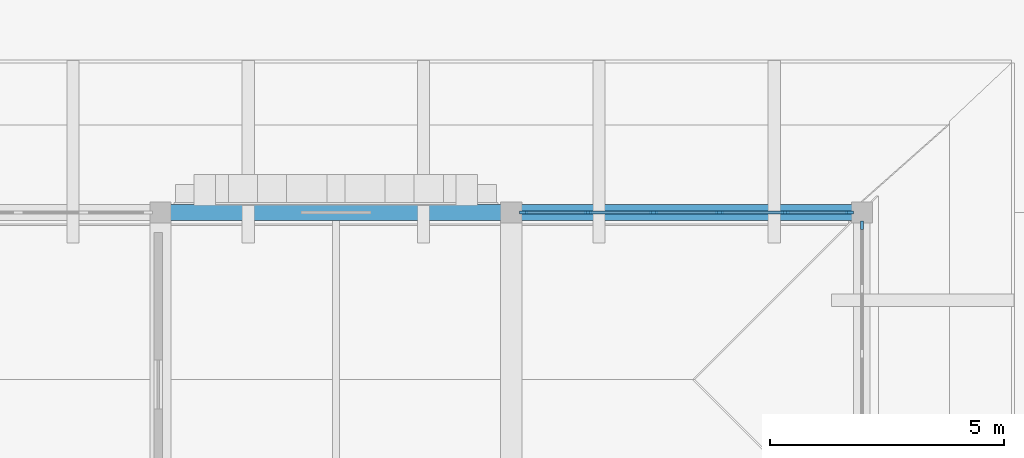
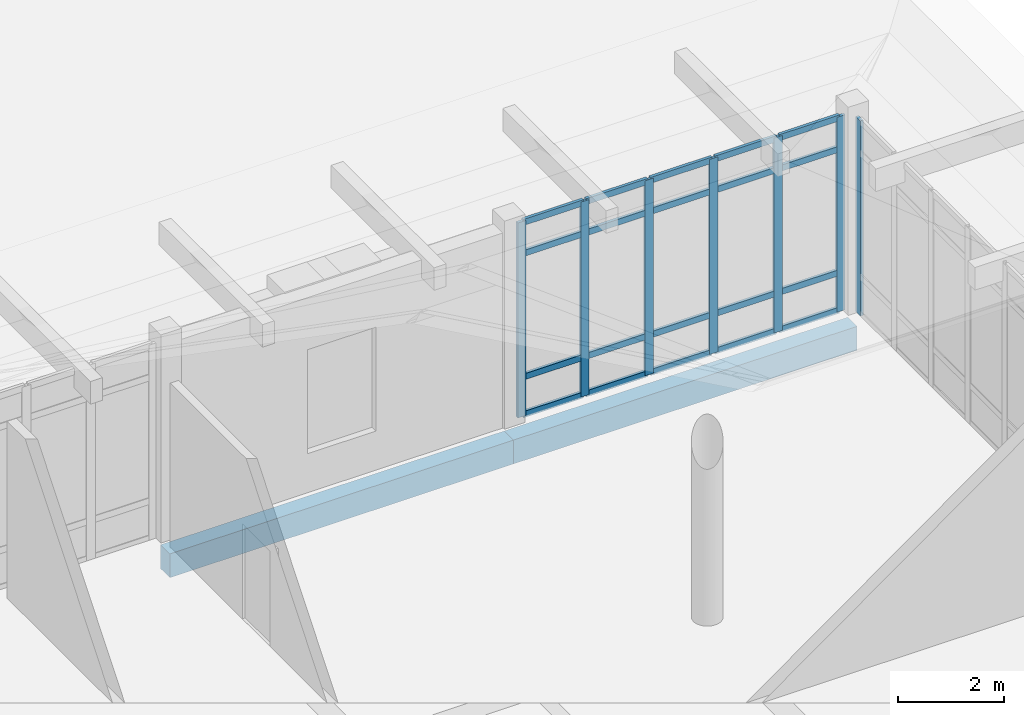
# One storey, part 69 of 125: 27 members, 2 beams, 2 elements without a shape of their own.
"""IFC4 building model written with IfcOpenShell, lengths in metres."""

from ifc_helpers import new_model, si_unit, direction, frame, origin, origin_2d, place, context, subcontext, project, spatial, rectangle, extrude, material, layer, layer_set, material_profile, profile_set, type_object, element, aggregate, save


model = new_model("IFC4")

# Units and contexts
model_context = context("Model", 3, precision=1e-05, world=origin(), true_north=direction((0.0, 1.0)))
body_context = subcontext(model_context, "Body", "Model", "MODEL_VIEW")
ifc_project = project(units=[si_unit("LENGTHUNIT", "METRE"), si_unit("AREAUNIT", "SQUARE_METRE"), si_unit("VOLUMEUNIT", "CUBIC_METRE"), si_unit("PLANEANGLEUNIT", "RADIAN"), si_unit("MASSUNIT", "GRAM", prefix="KILO")], contexts=[model_context])

# Site, building, storey
site_placement = place(None, origin())
site = spatial("IfcSite", under=ifc_project, at=site_placement, CompositionType="ELEMENT")
building_placement = place(site_placement, origin())
building = spatial("IfcBuilding", under=site, at=building_placement, Name="Dalvernix Boulevard General Hospital", CompositionType="ELEMENT")
storey_placement = place(building_placement, origin())
storey = spatial("IfcBuildingStorey", under=building, at=storey_placement, Name="L00", CompositionType="ELEMENT", Elevation=0.0)

# Beams
ifc_material_1 = material(Name="Concrete C35/45", Category="concrete")
ifc_material_profile_1 = material_profile(ifc_material_1, rectangle(XDim=0.35009765625, YDim=0.550048828125, at=origin_2d()), Name="RCB 350x550")
ifc_profile_set_1 = profile_set([ifc_material_profile_1], Name="Concrete C35/45")
beam_type = type_object("IfcBeamType", Name="BM-SB-01-E", PredefinedType="SPANDREL", material=ifc_profile_set_1)
for number, where, z_axis, x_axis, name in (
    (1, (157.5, 93.0, -0.635009765625), (1.0, 0.0, 0.0), (0.0, 1.0, 0.0), "L00 E-W girder N:22-23"),
    (2, (165.0, 93.0, -0.635009765625), (1.0, 0.0, 0.0), (0.0, 1.0, 0.0), "L00 E-W girder N:23-24"),
):
    element("IfcBeam", number, at=place(storey_placement, frame(where, z_axis=z_axis, x_axis=x_axis)), inside=storey, type_object=beam_type, Name=name, PredefinedType="SPANDREL", context=body_context, shape_type="SweptSolid", body=[
        extrude(rectangle(XDim=0.35009765625, YDim=0.550048828125, at=origin_2d()), origin(), (0.0, 0.0, 1.0), 7.5),
    ])

# Curtain wall, members
ifc_material_2 = material(Name="Thermally broken aluminium and solar-control glass curtain wall", Category="aluminium")
ifc_layer = layer(ifc_material_2, 0.179931640625)
ifc_layer_set = layer_set([ifc_layer], Name="Thermally broken aluminium and solar-control glass curtain wall (CW-CW-B-70x45)")
curtain_wall_type = type_object("IfcCurtainWallType", Name="CW-CW-B-70x45", PredefinedType="USERDEFINED", material=ifc_layer_set)
curtain_wall_1_placement = place(storey_placement, origin())
curtain_wall_1 = element("IfcCurtainWall", 3, at=curtain_wall_1_placement, inside=storey, type_object=curtain_wall_type, Name="L00 curtain wall CW-B-70x45 22-12", ObjectType="GLAZED FACADE", PredefinedType="USERDEFINED")
ifc_material_3 = material(Name="Aluminium EN AW-6060", Category="aluminium")
ifc_material_profile_2 = material_profile(ifc_material_3, rectangle(XDim=0.06494140625, YDim=0.179931640625, at=origin_2d()), Name="ALU MULL 65x180")
ifc_profile_set_2 = profile_set([ifc_material_profile_2], Name="Aluminium EN AW-6060")
member_type_1 = type_object("IfcMemberType", Name="MEM-CW-M2", PredefinedType="MULLION", material=ifc_profile_set_2)
member_1_placement = place(storey_placement, frame((165.267578125, 93.0, 0.0), z_axis=(0.0, 0.0, 1.0), x_axis=(0.0, 1.0, 0.0)))
member_1 = element("IfcMember", 4, at=member_1_placement, type_object=member_type_1, Name="CW-B-70x45 mullion 1", PredefinedType="MULLION", context=body_context, shape_type="SweptSolid", body=[
    extrude(rectangle(XDim=0.06494140625, YDim=0.179931640625, at=origin_2d()), origin(), (0.0, 0.0, 1.0), 4.5),
])
member_2_placement = place(storey_placement, frame((166.64111328125, 93.0, 0.0), z_axis=(0.0, 0.0, 1.0), x_axis=(0.0, 1.0, 0.0)))
member_2 = element("IfcMember", 5, at=member_2_placement, type_object=member_type_1, Name="CW-B-70x45 mullion 2", PredefinedType="MULLION", context=body_context, shape_type="SweptSolid", body=[
    extrude(rectangle(XDim=0.06494140625, YDim=0.179931640625, at=origin_2d()), origin(), (0.0, 0.0, 1.0), 4.5),
])
member_3_placement = place(storey_placement, frame((168.047119140625, 93.0, 0.0), z_axis=(0.0, 0.0, 1.0), x_axis=(0.0, 1.0, 0.0)))
member_3 = element("IfcMember", 6, at=member_3_placement, type_object=member_type_1, Name="CW-B-70x45 mullion 3", PredefinedType="MULLION", context=body_context, shape_type="SweptSolid", body=[
    extrude(rectangle(XDim=0.06494140625, YDim=0.179931640625, at=origin_2d()), origin(), (0.0, 0.0, 1.0), 4.5),
])
member_4_placement = place(storey_placement, frame((169.452880859375, 93.0, 0.0), z_axis=(0.0, 0.0, 1.0), x_axis=(0.0, 1.0, 0.0)))
member_4 = element("IfcMember", 7, at=member_4_placement, type_object=member_type_1, Name="CW-B-70x45 mullion 4", PredefinedType="MULLION", context=body_context, shape_type="SweptSolid", body=[
    extrude(rectangle(XDim=0.06494140625, YDim=0.179931640625, at=origin_2d()), origin(), (0.0, 0.0, 1.0), 4.5),
])
member_5_placement = place(storey_placement, frame((170.85888671875, 93.0, 0.0), z_axis=(0.0, 0.0, 1.0), x_axis=(0.0, 1.0, 0.0)))
member_5 = element("IfcMember", 8, at=member_5_placement, type_object=member_type_1, Name="CW-B-70x45 mullion 5", PredefinedType="MULLION", context=body_context, shape_type="SweptSolid", body=[
    extrude(rectangle(XDim=0.06494140625, YDim=0.179931640625, at=origin_2d()), origin(), (0.0, 0.0, 1.0), 4.5),
])
member_6_placement = place(storey_placement, frame((172.232421875, 93.0, 0.0), z_axis=(0.0, 0.0, 1.0), x_axis=(0.0, 1.0, 0.0)))
member_6 = element("IfcMember", 9, at=member_6_placement, type_object=member_type_1, Name="CW-B-70x45 mullion 6", PredefinedType="MULLION", context=body_context, shape_type="SweptSolid", body=[
    extrude(rectangle(XDim=0.06494140625, YDim=0.179931640625, at=origin_2d()), origin(), (0.0, 0.0, 1.0), 4.5),
])

# Curtain wall, member
curtain_wall_2_placement = place(storey_placement, origin())
curtain_wall_2 = element("IfcCurtainWall", 10, at=curtain_wall_2_placement, inside=storey, type_object=curtain_wall_type, Name="L00 curtain wall CW-B-70x45 23-11", ObjectType="GLAZED FACADE", PredefinedType="USERDEFINED")
member_7_placement = place(storey_placement, frame((172.5, 92.732421875, 0.0), z_axis=(0.0, 0.0, 1.0), x_axis=(1.0, 0.0, 0.0)))
member_7 = element("IfcMember", 11, at=member_7_placement, type_object=member_type_1, Name="CW-B-70x45 mullion 1", PredefinedType="MULLION", context=body_context, shape_type="SweptSolid", body=[
    extrude(rectangle(XDim=0.06494140625, YDim=0.179931640625, at=origin_2d()), origin(), (0.0, 0.0, 1.0), 4.5),
])
aggregate(curtain_wall_2, [member_7])

# Member
ifc_material_profile_3 = material_profile(ifc_material_3, rectangle(XDim=0.06494140625, YDim=0.139892578125, at=origin_2d()), Name="ALU TRAN 65x140")
ifc_profile_set_3 = profile_set([ifc_material_profile_3], Name="Aluminium EN AW-6060")
member_type_2 = type_object("IfcMemberType", Name="MEM-CW-T2", PredefinedType="USERDEFINED", material=ifc_profile_set_3)
member_8_placement = place(storey_placement, frame((165.300048828125, 93.0, 0.032470703125), z_axis=(1.0, 0.0, 0.0), x_axis=(0.0, 1.0, 0.0)))
member_8 = element("IfcMember", 12, at=member_8_placement, type_object=member_type_2, Name="CW-B-70x45 transom 1.1", ObjectType="TRANSOM", PredefinedType="USERDEFINED", context=body_context, shape_type="SweptSolid", body=[
    extrude(rectangle(XDim=0.06494140625, YDim=0.139892578125, at=origin_2d()), origin(), (0.0, 0.0, 1.0), 1.308349609375),
])

member_9_placement = place(storey_placement, frame((165.300048828125, 93.0, 0.89990234375), z_axis=(1.0, 0.0, 0.0), x_axis=(0.0, 1.0, 0.0)))
member_9 = element("IfcMember", 13, at=member_9_placement, type_object=member_type_2, Name="CW-B-70x45 transom 1.2", ObjectType="TRANSOM", PredefinedType="USERDEFINED", context=body_context, shape_type="SweptSolid", body=[
    extrude(rectangle(XDim=0.06494140625, YDim=0.139892578125, at=origin_2d()), origin(), (0.0, 0.0, 1.0), 1.308349609375),
])

member_10_placement = place(storey_placement, frame((165.300048828125, 93.0, 3.75), z_axis=(1.0, 0.0, 0.0), x_axis=(0.0, 1.0, 0.0)))
member_10 = element("IfcMember", 14, at=member_10_placement, type_object=member_type_2, Name="CW-B-70x45 transom 1.3", ObjectType="TRANSOM", PredefinedType="USERDEFINED", context=body_context, shape_type="SweptSolid", body=[
    extrude(rectangle(XDim=0.06494140625, YDim=0.139892578125, at=origin_2d()), origin(), (0.0, 0.0, 1.0), 1.308349609375),
])

member_11_placement = place(storey_placement, frame((165.300048828125, 93.0, 4.467529296875), z_axis=(1.0, 0.0, 0.0), x_axis=(0.0, 1.0, 0.0)))
member_11 = element("IfcMember", 15, at=member_11_placement, type_object=member_type_2, Name="CW-B-70x45 transom 1.4", ObjectType="TRANSOM", PredefinedType="USERDEFINED", context=body_context, shape_type="SweptSolid", body=[
    extrude(rectangle(XDim=0.06494140625, YDim=0.139892578125, at=origin_2d()), origin(), (0.0, 0.0, 1.0), 1.308349609375),
])

member_12_placement = place(storey_placement, frame((166.673583984375, 93.0, 0.032470703125), z_axis=(1.0, 0.0, 0.0), x_axis=(0.0, 1.0, 0.0)))
member_12 = element("IfcMember", 16, at=member_12_placement, type_object=member_type_2, Name="CW-B-70x45 transom 2.1", ObjectType="TRANSOM", PredefinedType="USERDEFINED", context=body_context, shape_type="SweptSolid", body=[
    extrude(rectangle(XDim=0.06494140625, YDim=0.139892578125, at=origin_2d()), origin(), (0.0, 0.0, 1.0), 1.3408203125),
])

member_13_placement = place(storey_placement, frame((166.673583984375, 93.0, 0.89990234375), z_axis=(1.0, 0.0, 0.0), x_axis=(0.0, 1.0, 0.0)))
member_13 = element("IfcMember", 17, at=member_13_placement, type_object=member_type_2, Name="CW-B-70x45 transom 2.2", ObjectType="TRANSOM", PredefinedType="USERDEFINED", context=body_context, shape_type="SweptSolid", body=[
    extrude(rectangle(XDim=0.06494140625, YDim=0.139892578125, at=origin_2d()), origin(), (0.0, 0.0, 1.0), 1.3408203125),
])

member_14_placement = place(storey_placement, frame((166.673583984375, 93.0, 3.75), z_axis=(1.0, 0.0, 0.0), x_axis=(0.0, 1.0, 0.0)))
member_14 = element("IfcMember", 18, at=member_14_placement, type_object=member_type_2, Name="CW-B-70x45 transom 2.3", ObjectType="TRANSOM", PredefinedType="USERDEFINED", context=body_context, shape_type="SweptSolid", body=[
    extrude(rectangle(XDim=0.06494140625, YDim=0.139892578125, at=origin_2d()), origin(), (0.0, 0.0, 1.0), 1.3408203125),
])

member_15_placement = place(storey_placement, frame((166.673583984375, 93.0, 4.467529296875), z_axis=(1.0, 0.0, 0.0), x_axis=(0.0, 1.0, 0.0)))
member_15 = element("IfcMember", 19, at=member_15_placement, type_object=member_type_2, Name="CW-B-70x45 transom 2.4", ObjectType="TRANSOM", PredefinedType="USERDEFINED", context=body_context, shape_type="SweptSolid", body=[
    extrude(rectangle(XDim=0.06494140625, YDim=0.139892578125, at=origin_2d()), origin(), (0.0, 0.0, 1.0), 1.3408203125),
])

member_16_placement = place(storey_placement, frame((168.07958984375, 93.0, 0.032470703125), z_axis=(1.0, 0.0, 0.0), x_axis=(0.0, 1.0, 0.0)))
member_16 = element("IfcMember", 20, at=member_16_placement, type_object=member_type_2, Name="CW-B-70x45 transom 3.1", ObjectType="TRANSOM", PredefinedType="USERDEFINED", context=body_context, shape_type="SweptSolid", body=[
    extrude(rectangle(XDim=0.06494140625, YDim=0.139892578125, at=origin_2d()), origin(), (0.0, 0.0, 1.0), 1.3408203125),
])

member_17_placement = place(storey_placement, frame((168.07958984375, 93.0, 0.89990234375), z_axis=(1.0, 0.0, 0.0), x_axis=(0.0, 1.0, 0.0)))
member_17 = element("IfcMember", 21, at=member_17_placement, type_object=member_type_2, Name="CW-B-70x45 transom 3.2", ObjectType="TRANSOM", PredefinedType="USERDEFINED", context=body_context, shape_type="SweptSolid", body=[
    extrude(rectangle(XDim=0.06494140625, YDim=0.139892578125, at=origin_2d()), origin(), (0.0, 0.0, 1.0), 1.3408203125),
])

member_18_placement = place(storey_placement, frame((168.07958984375, 93.0, 3.75), z_axis=(1.0, 0.0, 0.0), x_axis=(0.0, 1.0, 0.0)))
member_18 = element("IfcMember", 22, at=member_18_placement, type_object=member_type_2, Name="CW-B-70x45 transom 3.3", ObjectType="TRANSOM", PredefinedType="USERDEFINED", context=body_context, shape_type="SweptSolid", body=[
    extrude(rectangle(XDim=0.06494140625, YDim=0.139892578125, at=origin_2d()), origin(), (0.0, 0.0, 1.0), 1.3408203125),
])

member_19_placement = place(storey_placement, frame((168.07958984375, 93.0, 4.467529296875), z_axis=(1.0, 0.0, 0.0), x_axis=(0.0, 1.0, 0.0)))
member_19 = element("IfcMember", 23, at=member_19_placement, type_object=member_type_2, Name="CW-B-70x45 transom 3.4", ObjectType="TRANSOM", PredefinedType="USERDEFINED", context=body_context, shape_type="SweptSolid", body=[
    extrude(rectangle(XDim=0.06494140625, YDim=0.139892578125, at=origin_2d()), origin(), (0.0, 0.0, 1.0), 1.3408203125),
])

member_20_placement = place(storey_placement, frame((169.485595703125, 93.0, 0.032470703125), z_axis=(1.0, 0.0, 0.0), x_axis=(0.0, 1.0, 0.0)))
member_20 = element("IfcMember", 24, at=member_20_placement, type_object=member_type_2, Name="CW-B-70x45 transom 4.1", ObjectType="TRANSOM", PredefinedType="USERDEFINED", context=body_context, shape_type="SweptSolid", body=[
    extrude(rectangle(XDim=0.06494140625, YDim=0.139892578125, at=origin_2d()), origin(), (0.0, 0.0, 1.0), 1.3408203125),
])

member_21_placement = place(storey_placement, frame((169.485595703125, 93.0, 0.89990234375), z_axis=(1.0, 0.0, 0.0), x_axis=(0.0, 1.0, 0.0)))
member_21 = element("IfcMember", 25, at=member_21_placement, type_object=member_type_2, Name="CW-B-70x45 transom 4.2", ObjectType="TRANSOM", PredefinedType="USERDEFINED", context=body_context, shape_type="SweptSolid", body=[
    extrude(rectangle(XDim=0.06494140625, YDim=0.139892578125, at=origin_2d()), origin(), (0.0, 0.0, 1.0), 1.3408203125),
])

member_22_placement = place(storey_placement, frame((169.485595703125, 93.0, 3.75), z_axis=(1.0, 0.0, 0.0), x_axis=(0.0, 1.0, 0.0)))
member_22 = element("IfcMember", 26, at=member_22_placement, type_object=member_type_2, Name="CW-B-70x45 transom 4.3", ObjectType="TRANSOM", PredefinedType="USERDEFINED", context=body_context, shape_type="SweptSolid", body=[
    extrude(rectangle(XDim=0.06494140625, YDim=0.139892578125, at=origin_2d()), origin(), (0.0, 0.0, 1.0), 1.3408203125),
])

member_23_placement = place(storey_placement, frame((169.485595703125, 93.0, 4.467529296875), z_axis=(1.0, 0.0, 0.0), x_axis=(0.0, 1.0, 0.0)))
member_23 = element("IfcMember", 27, at=member_23_placement, type_object=member_type_2, Name="CW-B-70x45 transom 4.4", ObjectType="TRANSOM", PredefinedType="USERDEFINED", context=body_context, shape_type="SweptSolid", body=[
    extrude(rectangle(XDim=0.06494140625, YDim=0.139892578125, at=origin_2d()), origin(), (0.0, 0.0, 1.0), 1.3408203125),
])

member_24_placement = place(storey_placement, frame((170.8916015625, 93.0, 0.032470703125), z_axis=(1.0, 0.0, 0.0), x_axis=(0.0, 1.0, 0.0)))
member_24 = element("IfcMember", 28, at=member_24_placement, type_object=member_type_2, Name="CW-B-70x45 transom 5.1", ObjectType="TRANSOM", PredefinedType="USERDEFINED", context=body_context, shape_type="SweptSolid", body=[
    extrude(rectangle(XDim=0.06494140625, YDim=0.139892578125, at=origin_2d()), origin(), (0.0, 0.0, 1.0), 1.308349609375),
])

member_25_placement = place(storey_placement, frame((170.8916015625, 93.0, 0.89990234375), z_axis=(1.0, 0.0, 0.0), x_axis=(0.0, 1.0, 0.0)))
member_25 = element("IfcMember", 29, at=member_25_placement, type_object=member_type_2, Name="CW-B-70x45 transom 5.2", ObjectType="TRANSOM", PredefinedType="USERDEFINED", context=body_context, shape_type="SweptSolid", body=[
    extrude(rectangle(XDim=0.06494140625, YDim=0.139892578125, at=origin_2d()), origin(), (0.0, 0.0, 1.0), 1.308349609375),
])

member_26_placement = place(storey_placement, frame((170.8916015625, 93.0, 3.75), z_axis=(1.0, 0.0, 0.0), x_axis=(0.0, 1.0, 0.0)))
member_26 = element("IfcMember", 30, at=member_26_placement, type_object=member_type_2, Name="CW-B-70x45 transom 5.3", ObjectType="TRANSOM", PredefinedType="USERDEFINED", context=body_context, shape_type="SweptSolid", body=[
    extrude(rectangle(XDim=0.06494140625, YDim=0.139892578125, at=origin_2d()), origin(), (0.0, 0.0, 1.0), 1.308349609375),
])

member_27_placement = place(storey_placement, frame((170.8916015625, 93.0, 4.467529296875), z_axis=(1.0, 0.0, 0.0), x_axis=(0.0, 1.0, 0.0)))
member_27 = element("IfcMember", 31, at=member_27_placement, type_object=member_type_2, Name="CW-B-70x45 transom 5.4", ObjectType="TRANSOM", PredefinedType="USERDEFINED", context=body_context, shape_type="SweptSolid", body=[
    extrude(rectangle(XDim=0.06494140625, YDim=0.139892578125, at=origin_2d()), origin(), (0.0, 0.0, 1.0), 1.308349609375),
])

aggregate(curtain_wall_1, [member_1, member_2, member_3, member_4, member_5, member_6, member_8, member_9, member_10, member_11, member_12, member_13, member_14, member_15, member_16, member_17, member_18, member_19, member_20, member_21, member_22, member_23, member_24, member_25, member_26, member_27])

save(model, "model.ifc")
